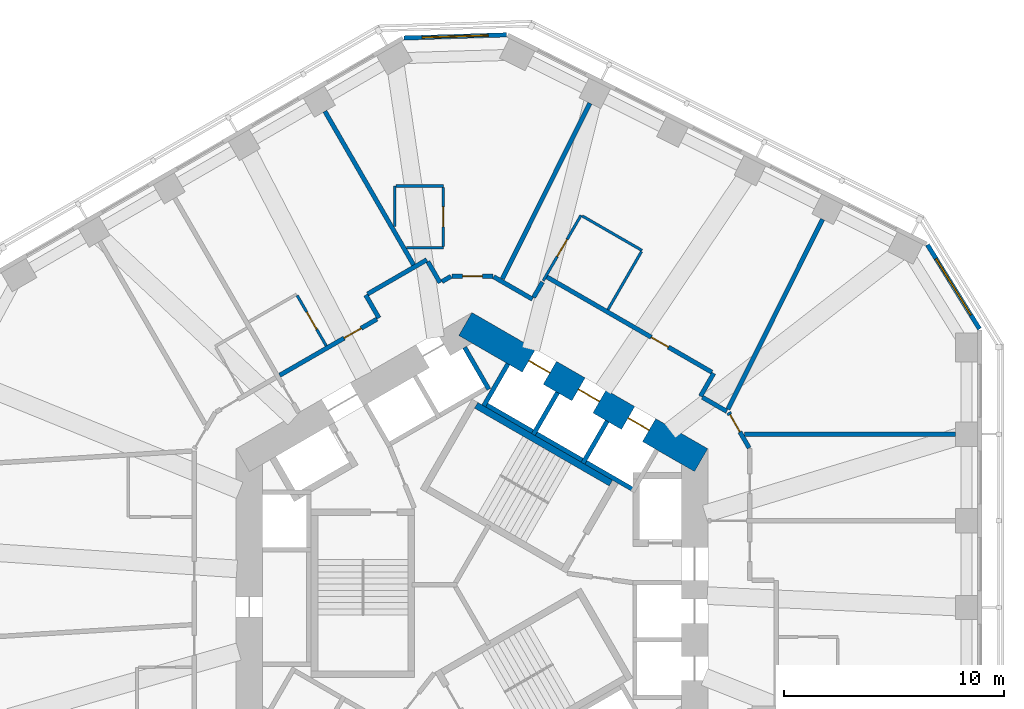
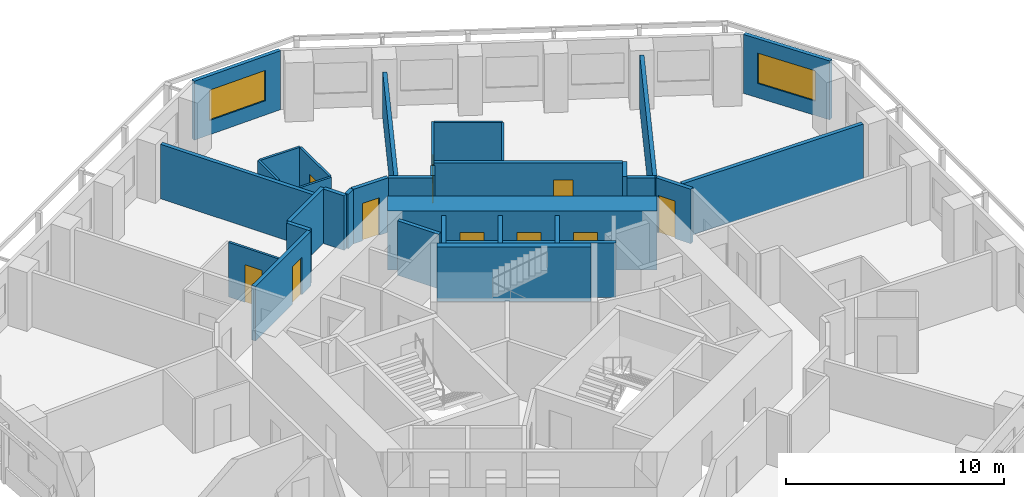
# One storey, part 8 of 12: 33 walls, 10 doors, 2 windows, 12 openings.
"""IFC4 building model written with IfcOpenShell, lengths in metres."""

from ifc_helpers import new_model, si_unit, direction, frame, frame_2d, origin, place, context, subcontext, project, spatial, rectangle, extrude, material, layer, layer_set, type_object, element, fill, save


model = new_model("IFC4")

# Units and contexts
model_context = context("Model", 3, precision=1e-05, world=origin(), true_north=direction((0.0, 1.0)))
body_context = subcontext(model_context, "Body", "Model", "MODEL_VIEW")
ifc_project = project(units=[si_unit("LENGTHUNIT", "METRE"), si_unit("AREAUNIT", "SQUARE_METRE"), si_unit("VOLUMEUNIT", "CUBIC_METRE"), si_unit("PLANEANGLEUNIT", "RADIAN"), si_unit("MASSUNIT", "GRAM", prefix="KILO")], contexts=[model_context])

# Site, building, storey
site_placement = place(None, origin())
site = spatial("IfcSite", under=ifc_project, at=site_placement, CompositionType="ELEMENT")
building_placement = place(site_placement, origin())
building = spatial("IfcBuilding", under=site, at=building_placement, Name="Vanh Sen Convention Tower", CompositionType="ELEMENT")
storey_placement = place(building_placement, frame((0.0, 0.0, 103.39990234375)))
storey = spatial("IfcBuildingStorey", under=building, at=storey_placement, Name="L24", CompositionType="ELEMENT", Elevation=103.39990234375)

# Wall, opening, door
ifc_material_1 = material(Name="Moisture-resistant gypsum board on steel studs", Category="steel")
ifc_layer_1 = layer(ifc_material_1, 0.1201171875)
ifc_layer_set_1 = layer_set([ifc_layer_1], Name="Moisture-resistant gypsum board on steel studs")
wall_type_1 = type_object("IfcWallType", Name="Bathroom partition 120", PredefinedType="PARTITIONING", material=ifc_layer_set_1)
wall_1_placement = place(storey_placement, frame((-7.93359375, 13.132568359375, 0.0), z_axis=(0.0, 0.0, 1.0), x_axis=(0.499938597367, -0.866060851709, 0.0)))
wall_1 = element("IfcWall", 1, at=wall_1_placement, inside=storey, type_object=wall_type_1, Name="Bathroom partition 120", PredefinedType="PARTITIONING", context=body_context, shape_type="SweptSolid", body=[
    extrude(rectangle(XDim=2.639892578125, YDim=0.1201171875, at=frame_2d((1.31982421875, 0.0))), origin(), (0.0, 0.0, 1.0), 3.050048828125),
])
opening_1_placement = place(wall_1_placement, frame((0.8701171875, 0.0, 0.0)))
opening_1 = element("IfcOpeningElement", 2, at=opening_1_placement, cuts=wall_1, Name="Opening D22110", PredefinedType="OPENING", context=body_context, shape_type="SweptSolid", body=[
    extrude(rectangle(XDim=0.89990234375, YDim=2.10009765625, at=frame_2d((0.449951171875, 1.050048828125))), frame((0.0, 0.070068359375, 0.0), z_axis=(0.0, -1.0, 0.0), x_axis=(1.0, 0.0, 0.0)), (0.0, 0.0, 1.0), 0.14013671875),
])
ifc_material_2 = material(Name="Laminate door in steel frame", Category="steel")
door_type_1 = type_object("IfcDoorType", Name="En-suite door 900", OperationType="SINGLE_SWING_LEFT", PredefinedType="DOOR", material=ifc_material_2)
door_1_placement = place(opening_1_placement, origin())
door_1 = element("IfcDoor", 3, at=door_1_placement, inside=storey, type_object=door_type_1, Name="En-suite door D22110", OperationType="SINGLE_SWING_LEFT", OverallHeight=2.10009765625, OverallWidth=0.89990234375, PredefinedType="DOOR", context=body_context, shape_type="SweptSolid", body=[
    extrude(rectangle(XDim=0.89990234375, YDim=2.10009765625, at=frame_2d((0.449951171875, 1.050048828125))), frame((0.0, 0.02490234375, 0.0), z_axis=(0.0, -1.0, 0.0), x_axis=(1.0, 0.0, 0.0)), (0.0, 0.0, 1.0), 0.050048828125),
])
fill(opening_1, door_1)

# Walls
wall_2_placement = place(storey_placement, frame((-3.5, 16.271484375, 0.0), z_axis=(0.0, 0.0, 1.0), x_axis=(0.0, 1.0, 0.0)))
element("IfcWall", 4, at=wall_2_placement, inside=storey, type_object=wall_type_1, Name="Bathroom partition 120", PredefinedType="PARTITIONING", context=body_context, shape_type="SweptSolid", body=[
    extrude(rectangle(XDim=1.8291015625, YDim=0.1201171875, at=frame_2d((0.91455078125, 0.0))), origin(), (0.0, 0.0, 1.0), 3.050048828125),
])
wall_3_placement = place(storey_placement, frame((-3.43994140625, 18.1005859375, 0.0), z_axis=(0.0, 0.0, 1.0), x_axis=(1.0, 0.0, 0.0)))
element("IfcWall", 5, at=wall_3_placement, inside=storey, type_object=wall_type_1, Name="Bathroom partition 120", PredefinedType="PARTITIONING", context=body_context, shape_type="SweptSolid", body=[
    extrude(rectangle(XDim=2.139892578125, YDim=0.1201171875, at=frame_2d((1.06982421875, 0.0))), origin(), (0.0, 0.0, 1.0), 3.050048828125),
])
wall_4_placement = place(storey_placement, frame((-1.300048828125, 15.30078125, 0.0), z_axis=(0.0, 0.0, 1.0), x_axis=(-1.0, 0.0, 0.0)))
element("IfcWall", 6, at=wall_4_placement, inside=storey, type_object=wall_type_1, Name="Bathroom partition 120", PredefinedType="PARTITIONING", context=body_context, shape_type="SweptSolid", body=[
    extrude(rectangle(XDim=1.6611328125, YDim=0.1201171875, at=frame_2d((0.83056640625, 0.0))), origin(), (0.0, 0.0, 1.0), 3.050048828125),
])

# Wall, opening, door
wall_5_placement = place(storey_placement, frame((-1.300048828125, 18.040771484375, 0.0), z_axis=(0.0, 0.0, 1.0), x_axis=(0.0, -1.0, 0.0)))
wall_5 = element("IfcWall", 7, at=wall_5_placement, inside=storey, type_object=wall_type_1, Name="Bathroom partition 120", PredefinedType="PARTITIONING", context=body_context, shape_type="SweptSolid", body=[
    extrude(rectangle(XDim=2.68017578125, YDim=0.1201171875, at=frame_2d((1.340087890625, 0.0))), origin(), (0.0, 0.0, 1.0), 3.050048828125),
])
opening_2_placement = place(wall_5_placement, frame((0.889892578125, 0.0, 0.0)))
opening_2 = element("IfcOpeningElement", 8, at=opening_2_placement, cuts=wall_5, Name="Opening D22108", PredefinedType="OPENING", context=body_context, shape_type="SweptSolid", body=[
    extrude(rectangle(XDim=0.89990234375, YDim=2.10009765625, at=frame_2d((0.449951171875, 1.050048828125))), frame((0.0, 0.070068359375, 0.0), z_axis=(0.0, -1.0, 0.0), x_axis=(1.0, 0.0, 0.0)), (0.0, 0.0, 1.0), 0.14013671875),
])
door_2_placement = place(opening_2_placement, origin())
door_2 = element("IfcDoor", 9, at=door_2_placement, inside=storey, type_object=door_type_1, Name="En-suite door D22108", OperationType="SINGLE_SWING_LEFT", OverallHeight=2.10009765625, OverallWidth=0.89990234375, PredefinedType="DOOR", context=body_context, shape_type="SweptSolid", body=[
    extrude(rectangle(XDim=0.89990234375, YDim=2.10009765625, at=frame_2d((0.449951171875, 1.050048828125))), frame((0.0, 0.02490234375, 0.0), z_axis=(0.0, -1.0, 0.0), x_axis=(1.0, 0.0, 0.0)), (0.0, 0.0, 1.0), 0.050048828125),
])
fill(opening_2, door_2)

wall_6_placement = place(storey_placement, frame((3.232177734375, 13.800048828125, 0.0), z_axis=(0.0, 0.0, 1.0), x_axis=(0.499993265928, 0.866029291668, 0.0)))
wall_6 = element("IfcWall", 10, at=wall_6_placement, inside=storey, type_object=wall_type_1, Name="Bathroom partition 120", PredefinedType="PARTITIONING", context=body_context, shape_type="SweptSolid", body=[
    extrude(rectangle(XDim=3.43359375, YDim=0.1201171875, at=frame_2d((1.716796875, 0.0))), origin(), (0.0, 0.0, 1.0), 3.050048828125),
])
opening_3_placement = place(wall_6_placement, frame((1.266845703125, 0.0, 0.0)))
opening_3 = element("IfcOpeningElement", 11, at=opening_3_placement, cuts=wall_6, Name="Opening D22106", PredefinedType="OPENING", context=body_context, shape_type="SweptSolid", body=[
    extrude(rectangle(XDim=0.89990234375, YDim=2.10009765625, at=frame_2d((0.449951171875, 1.050048828125))), frame((0.0, 0.070068359375, 0.0), z_axis=(0.0, -1.0, 0.0), x_axis=(1.0, 0.0, 0.0)), (0.0, 0.0, 1.0), 0.14013671875),
])
door_3_placement = place(opening_3_placement, origin())
door_3 = element("IfcDoor", 12, at=door_3_placement, inside=storey, type_object=door_type_1, Name="En-suite door D22106", OperationType="SINGLE_SWING_LEFT", OverallHeight=2.10009765625, OverallWidth=0.89990234375, PredefinedType="DOOR", context=body_context, shape_type="SweptSolid", body=[
    extrude(rectangle(XDim=0.89990234375, YDim=2.10009765625, at=frame_2d((0.449951171875, 1.050048828125))), frame((0.0, 0.02490234375, 0.0), z_axis=(0.0, -1.0, 0.0), x_axis=(1.0, 0.0, 0.0)), (0.0, 0.0, 1.0), 0.050048828125),
])
fill(opening_3, door_3)

# Walls
wall_7_placement = place(storey_placement, frame((5.0009765625, 16.743896484375, 0.0), z_axis=(0.0, 0.0, 1.0), x_axis=(0.866009488468, -0.500027565123, 0.0)))
element("IfcWall", 13, at=wall_7_placement, inside=storey, type_object=wall_type_1, Name="Bathroom partition 120", PredefinedType="PARTITIONING", context=body_context, shape_type="SweptSolid", body=[
    extrude(rectangle(XDim=3.139892578125, YDim=0.1201171875, at=frame_2d((1.56982421875, 0.0))), origin(), (0.0, 0.0, 1.0), 3.050048828125),
])
wall_8_placement = place(storey_placement, frame((7.690185546875, 15.121826171875, 0.0), z_axis=(0.0, 0.0, 1.0), x_axis=(-0.499991248344, -0.866030456496, 0.0)))
element("IfcWall", 14, at=wall_8_placement, inside=storey, type_object=wall_type_1, Name="Bathroom partition 120", PredefinedType="PARTITIONING", context=body_context, shape_type="SweptSolid", body=[
    extrude(rectangle(XDim=3.0400390625, YDim=0.1201171875, at=frame_2d((1.52001953125, 0.0))), origin(), (0.0, 0.0, 1.0), 3.050048828125),
])

# Wall, openings, doors
ifc_material_3 = material(Name="Concrete C80/95", Category="concrete")
ifc_layer_2 = layer(ifc_material_3, 1.199951171875)
ifc_layer_set_2 = layer_set([ifc_layer_2], Name="Concrete C80/95")
wall_type_2 = type_object("IfcWallType", Name="Core outer wall 1200 C80/95", PredefinedType="SHEAR", material=ifc_layer_set_2)
wall_9_placement = place(storey_placement, frame((10.39990234375, 5.657958984375, 0.0), z_axis=(0.0, 0.0, 1.0), x_axis=(-0.866021384402, 0.500006961711, 0.0)))
wall_9 = element("IfcWall", 15, at=wall_9_placement, inside=storey, type_object=wall_type_2, Name="Core wall face NE L24", PredefinedType="SHEAR", context=body_context, shape_type="SweptSolid", body=[
    extrude(rectangle(XDim=12.355224609375, YDim=1.199951171875, at=frame_2d((6.177734375, 0.0))), origin(), (0.0, 0.0, 1.0), 3.300048828125),
])
opening_4_placement = place(wall_9_placement, frame((2.727783203125, 0.0, 0.0)))
opening_4 = element("IfcOpeningElement", 16, at=opening_4_placement, cuts=wall_9, Name="Opening LD-LR3", PredefinedType="OPENING", context=body_context, shape_type="SweptSolid", body=[
    extrude(rectangle(XDim=1.10009765625, YDim=2.10009765625, at=frame_2d((0.550048828125, 1.050048828125))), frame((0.0, 0.60986328125, 0.0), z_axis=(0.0, -1.0, 0.0), x_axis=(1.0, 0.0, 0.0)), (0.0, 0.0, 1.0), 1.219970703125),
])
opening_5_placement = place(wall_9_placement, frame((5.32763671875, 0.0, 0.0)))
opening_5 = element("IfcOpeningElement", 17, at=opening_5_placement, cuts=wall_9, Name="Opening LD-LR4", PredefinedType="OPENING", context=body_context, shape_type="SweptSolid", body=[
    extrude(rectangle(XDim=1.10009765625, YDim=2.10009765625, at=frame_2d((0.550048828125, 1.050048828125))), frame((0.0, 0.60986328125, 0.0), z_axis=(0.0, -1.0, 0.0), x_axis=(1.0, 0.0, 0.0)), (0.0, 0.0, 1.0), 1.219970703125),
])
opening_6_placement = place(wall_9_placement, frame((7.927734375, 0.0, 0.0)))
opening_6 = element("IfcOpeningElement", 18, at=opening_6_placement, cuts=wall_9, Name="Opening LD-LR5", PredefinedType="OPENING", context=body_context, shape_type="SweptSolid", body=[
    extrude(rectangle(XDim=1.10009765625, YDim=2.10009765625, at=frame_2d((0.550048828125, 1.050048828125))), frame((0.0, 0.60986328125, 0.0), z_axis=(0.0, -1.0, 0.0), x_axis=(1.0, 0.0, 0.0)), (0.0, 0.0, 1.0), 1.219970703125),
])
ifc_material_4 = material(Name="Stainless steel", Category="steel")
door_type_2 = type_object("IfcDoorType", Name="Lift landing door 1100", OperationType="DOUBLE_DOOR_SLIDING", PredefinedType="DOOR", material=ifc_material_4)
door_4_placement = place(opening_4_placement, origin())
door_4 = element("IfcDoor", 19, at=door_4_placement, inside=storey, type_object=door_type_2, Name="Lift LR3 landing door LD-LR3", OperationType="DOUBLE_DOOR_SLIDING", OverallHeight=2.10009765625, OverallWidth=1.10009765625, PredefinedType="DOOR", context=body_context, shape_type="SweptSolid", body=[
    extrude(rectangle(XDim=1.10009765625, YDim=2.10009765625, at=frame_2d((0.550048828125, 1.050048828125))), frame((0.0, 0.02490234375, 0.0), z_axis=(0.0, -1.0, 0.0), x_axis=(1.0, 0.0, 0.0)), (0.0, 0.0, 1.0), 0.050048828125),
])
fill(opening_4, door_4)
door_5_placement = place(opening_5_placement, origin())
door_5 = element("IfcDoor", 20, at=door_5_placement, inside=storey, type_object=door_type_2, Name="Lift LR4 landing door LD-LR4", OperationType="DOUBLE_DOOR_SLIDING", OverallHeight=2.10009765625, OverallWidth=1.10009765625, PredefinedType="DOOR", context=body_context, shape_type="SweptSolid", body=[
    extrude(rectangle(XDim=1.10009765625, YDim=2.10009765625, at=frame_2d((0.550048828125, 1.050048828125))), frame((0.0, 0.02490234375, 0.0), z_axis=(0.0, -1.0, 0.0), x_axis=(1.0, 0.0, 0.0)), (0.0, 0.0, 1.0), 0.050048828125),
])
fill(opening_5, door_5)
door_6_placement = place(opening_6_placement, origin())
door_6 = element("IfcDoor", 21, at=door_6_placement, inside=storey, type_object=door_type_2, Name="Lift LR5 landing door LD-LR5", OperationType="DOUBLE_DOOR_SLIDING", OverallHeight=2.10009765625, OverallWidth=1.10009765625, PredefinedType="DOOR", context=body_context, shape_type="SweptSolid", body=[
    extrude(rectangle(XDim=1.10009765625, YDim=2.10009765625, at=frame_2d((0.550048828125, 1.050048828125))), frame((0.0, 0.02490234375, 0.0), z_axis=(0.0, -1.0, 0.0), x_axis=(1.0, 0.0, 0.0)), (0.0, 0.0, 1.0), 0.050048828125),
])
fill(opening_6, door_6)

# Wall
ifc_material_5 = material(Name="Gypsum board on steel studs with mineral wool", Category="steel")
ifc_layer_3 = layer(ifc_material_5, 0.199951171875)
ifc_layer_set_3 = layer_set([ifc_layer_3], Name="Gypsum board on steel studs with mineral wool")
wall_type_3 = type_object("IfcWallType", Name="Corridor partition wall 200", PredefinedType="PARTITIONING", material=ifc_layer_set_3)
wall_10_placement = place(storey_placement, frame((-4.822998046875, 13.151611328125, 0.0), z_axis=(0.0, 0.0, 1.0), x_axis=(0.499986357472, -0.866033280158, 0.0)))
element("IfcWall", 22, at=wall_10_placement, inside=storey, type_object=wall_type_3, Name="Corridor partition wall 200", PredefinedType="PARTITIONING", context=body_context, shape_type="SweptSolid", body=[
    extrude(rectangle(XDim=1.201171875, YDim=0.199951171875, at=frame_2d((0.6005859375, 0.0))), origin(), (0.0, 0.0, 1.0), 3.050048828125),
])

# Wall, opening, door
wall_11_placement = place(storey_placement, frame((-4.30908203125, 12.061279296875, 0.0), z_axis=(0.0, 0.0, 1.0), x_axis=(-0.866020679205, -0.500008183122, 0.0)))
wall_11 = element("IfcWall", 23, at=wall_11_placement, inside=storey, type_object=wall_type_3, Name="Corridor partition wall 200", PredefinedType="PARTITIONING", context=body_context, shape_type="SweptSolid", body=[
    extrude(rectangle(XDim=5.103515625, YDim=0.199951171875, at=frame_2d((2.5517578125, 0.0))), origin(), (0.0, 0.0, 1.0), 3.050048828125),
])
opening_7_placement = place(wall_11_placement, frame((0.826904296875, 0.0, 0.0)))
opening_7 = element("IfcOpeningElement", 24, at=opening_7_placement, cuts=wall_11, Name="Opening D22109", PredefinedType="OPENING", context=body_context, shape_type="SweptSolid", body=[
    extrude(rectangle(XDim=0.89990234375, YDim=2.10009765625, at=frame_2d((0.449951171875, 1.050048828125))), frame((0.0, 0.10986328125, 0.0), z_axis=(0.0, -1.0, 0.0), x_axis=(1.0, 0.0, 0.0)), (0.0, 0.0, 1.0), 0.219970703125),
])
ifc_material_6 = material(Name="Timber fire door in steel frame", Category="steel")
door_type_3 = type_object("IfcDoorType", Name="Guest room door 900", OperationType="SINGLE_SWING_LEFT", PredefinedType="DOOR", material=ifc_material_6)
door_7_placement = place(opening_7_placement, origin())
door_7 = element("IfcDoor", 25, at=door_7_placement, inside=storey, type_object=door_type_3, Name="Hotel guest room door D22109", OperationType="SINGLE_SWING_LEFT", OverallHeight=2.10009765625, OverallWidth=0.89990234375, PredefinedType="DOOR", context=body_context, shape_type="SweptSolid", body=[
    extrude(rectangle(XDim=0.89990234375, YDim=2.10009765625, at=frame_2d((0.449951171875, 1.050048828125))), frame((0.0, 0.02490234375, 0.0), z_axis=(0.0, -1.0, 0.0), x_axis=(1.0, 0.0, 0.0)), (0.0, 0.0, 1.0), 0.050048828125),
])
fill(opening_7, door_7)

# Walls
wall_12_placement = place(storey_placement, frame((-2.0498046875, 14.75244140625, 0.0), z_axis=(0.0, 0.0, 1.0), x_axis=(-0.866030936828, -0.499990416364, 0.0)))
element("IfcWall", 26, at=wall_12_placement, inside=storey, type_object=wall_type_3, Name="Corridor partition wall 200", PredefinedType="PARTITIONING", context=body_context, shape_type="SweptSolid", body=[
    extrude(rectangle(XDim=3.10205078125, YDim=0.199951171875, at=frame_2d((1.551025390625, 0.0))), origin(), (0.0, 0.0, 1.0), 3.050048828125),
])
wall_13_placement = place(storey_placement, frame((-1.449462890625, 13.71240234375, 0.0), z_axis=(0.0, 0.0, 1.0), x_axis=(-0.499978356969, 0.866037899034, 0.0)))
element("IfcWall", 27, at=wall_13_placement, inside=storey, type_object=wall_type_3, Name="Corridor partition wall 200", PredefinedType="PARTITIONING", context=body_context, shape_type="SweptSolid", body=[
    extrude(rectangle(XDim=1.10107421875, YDim=0.199951171875, at=frame_2d((0.550537109375, 0.0))), origin(), (0.0, 0.0, 1.0), 3.050048828125),
])
wall_14_placement = place(storey_placement, frame((-0.949951171875, 14.000732421875, 0.0), z_axis=(0.0, 0.0, 1.0), x_axis=(-0.86609177584, -0.499885022602, 0.0)))
element("IfcWall", 28, at=wall_14_placement, inside=storey, type_object=wall_type_3, Name="Corridor partition wall 200", PredefinedType="PARTITIONING", context=body_context, shape_type="SweptSolid", body=[
    extrude(rectangle(XDim=0.4765625, YDim=0.199951171875, at=frame_2d((0.23828125, 0.0))), origin(), (0.0, 0.0, 1.0), 3.050048828125),
])

# Wall, opening, door
wall_15_placement = place(storey_placement, frame((0.949951171875, 14.000732421875, 0.0), z_axis=(0.0, 0.0, 1.0), x_axis=(-1.0, 0.0, 0.0)))
wall_15 = element("IfcWall", 29, at=wall_15_placement, inside=storey, type_object=wall_type_3, Name="Corridor partition wall 200", PredefinedType="PARTITIONING", context=body_context, shape_type="SweptSolid", body=[
    extrude(rectangle(XDim=1.85986328125, YDim=0.199951171875, at=frame_2d((0.929931640625, 0.0))), origin(), (0.0, 0.0, 1.0), 3.050048828125),
])
opening_8_placement = place(wall_15_placement, frame((0.47998046875, 0.0, 0.0)))
opening_8 = element("IfcOpeningElement", 30, at=opening_8_placement, cuts=wall_15, Name="Opening D22107", PredefinedType="OPENING", context=body_context, shape_type="SweptSolid", body=[
    extrude(rectangle(XDim=0.89990234375, YDim=2.10009765625, at=frame_2d((0.449951171875, 1.050048828125))), frame((0.0, 0.10986328125, 0.0), z_axis=(0.0, -1.0, 0.0), x_axis=(1.0, 0.0, 0.0)), (0.0, 0.0, 1.0), 0.219970703125),
])
door_8_placement = place(opening_8_placement, origin())
door_8 = element("IfcDoor", 31, at=door_8_placement, inside=storey, type_object=door_type_3, Name="Hotel guest room door D22107", OperationType="SINGLE_SWING_LEFT", OverallHeight=2.10009765625, OverallWidth=0.89990234375, PredefinedType="DOOR", context=body_context, shape_type="SweptSolid", body=[
    extrude(rectangle(XDim=0.89990234375, YDim=2.10009765625, at=frame_2d((0.449951171875, 1.050048828125))), frame((0.0, 0.02490234375, 0.0), z_axis=(0.0, -1.0, 0.0), x_axis=(1.0, 0.0, 0.0)), (0.0, 0.0, 1.0), 0.050048828125),
])
fill(opening_8, door_8)

# Walls
wall_16_placement = place(storey_placement, frame((2.748291015625, 12.96240234375, 0.0), z_axis=(0.0, 0.0, 1.0), x_axis=(-0.866013897511, 0.50001992892, 0.0)))
element("IfcWall", 32, at=wall_16_placement, inside=storey, type_object=wall_type_3, Name="Corridor partition wall 200", PredefinedType="PARTITIONING", context=body_context, shape_type="SweptSolid", body=[
    extrude(rectangle(XDim=2.03662109375, YDim=0.199951171875, at=frame_2d((1.018310546875, 0.0))), origin(), (0.0, 0.0, 1.0), 3.050048828125),
])
wall_17_placement = place(storey_placement, frame((3.198974609375, 13.74267578125, 0.0), z_axis=(0.0, 0.0, 1.0), x_axis=(-0.500170954823, -0.865926680471, 0.0)))
element("IfcWall", 33, at=wall_17_placement, inside=storey, type_object=wall_type_3, Name="Corridor partition wall 200", PredefinedType="PARTITIONING", context=body_context, shape_type="SweptSolid", body=[
    extrude(rectangle(XDim=0.801025390625, YDim=0.199951171875, at=frame_2d((0.400390625, 0.0))), origin(), (0.0, 0.0, 1.0), 3.050048828125),
])
wall_18_placement = place(storey_placement, frame((10.37109375, 8.561279296875, 0.0), z_axis=(0.0, 0.0, 1.0), x_axis=(0.499986357472, 0.866033280158, 0.0)))
element("IfcWall", 34, at=wall_18_placement, inside=storey, type_object=wall_type_3, Name="Corridor partition wall 200", PredefinedType="PARTITIONING", context=body_context, shape_type="SweptSolid", body=[
    extrude(rectangle(XDim=1.201171875, YDim=0.199951171875, at=frame_2d((0.6005859375, 0.0))), origin(), (0.0, 0.0, 1.0), 3.050048828125),
])

# Wall, opening, door
wall_19_placement = place(storey_placement, frame((10.885009765625, 9.651611328125, 0.0), z_axis=(0.0, 0.0, 1.0), x_axis=(-0.866033630405, 0.499985750804, 0.0)))
wall_19 = element("IfcWall", 35, at=wall_19_placement, inside=storey, type_object=wall_type_3, Name="Corridor partition wall 200", PredefinedType="PARTITIONING", context=body_context, shape_type="SweptSolid", body=[
    extrude(rectangle(XDim=8.641845703125, YDim=0.199951171875, at=frame_2d((4.32080078125, 0.0))), origin(), (0.0, 0.0, 1.0), 3.050048828125),
])
opening_9_placement = place(wall_19_placement, frame((2.27587890625, 0.0, 0.0)))
opening_9 = element("IfcOpeningElement", 36, at=opening_9_placement, cuts=wall_19, Name="Opening D22105", PredefinedType="OPENING", context=body_context, shape_type="SweptSolid", body=[
    extrude(rectangle(XDim=0.89990234375, YDim=2.10009765625, at=frame_2d((0.449951171875, 1.050048828125))), frame((0.0, 0.10986328125, 0.0), z_axis=(0.0, -1.0, 0.0), x_axis=(1.0, 0.0, 0.0)), (0.0, 0.0, 1.0), 0.219970703125),
])
door_9_placement = place(opening_9_placement, origin())
door_9 = element("IfcDoor", 37, at=door_9_placement, inside=storey, type_object=door_type_3, Name="Hotel guest room door D22105", OperationType="SINGLE_SWING_LEFT", OverallHeight=2.10009765625, OverallWidth=0.89990234375, PredefinedType="DOOR", context=body_context, shape_type="SweptSolid", body=[
    extrude(rectangle(XDim=0.89990234375, YDim=2.10009765625, at=frame_2d((0.449951171875, 1.050048828125))), frame((0.0, 0.02490234375, 0.0), z_axis=(0.0, -1.0, 0.0), x_axis=(1.0, 0.0, 0.0)), (0.0, 0.0, 1.0), 0.050048828125),
])
fill(opening_9, door_9)

# Wall
wall_20_placement = place(storey_placement, frame((11.56640625, 7.871337890625, 0.0), z_axis=(0.0, 0.0, 1.0), x_axis=(-0.866004557827, 0.500036104519, 0.0)))
element("IfcWall", 38, at=wall_20_placement, inside=storey, type_object=wall_type_3, Name="Corridor partition wall 200", PredefinedType="PARTITIONING", context=body_context, shape_type="SweptSolid", body=[
    extrude(rectangle(XDim=1.2802734375, YDim=0.199951171875, at=frame_2d((0.64013671875, 0.0))), origin(), (0.0, 0.0, 1.0), 3.050048828125),
])

# Wall, opening, door
wall_21_placement = place(storey_placement, frame((12.580078125, 6.212158203125, 0.0), z_axis=(0.0, 0.0, 1.0), x_axis=(-0.500063286585, 0.865988862174, 0.0)))
wall_21 = element("IfcWall", 39, at=wall_21_placement, inside=storey, type_object=wall_type_3, Name="Corridor partition wall 200", PredefinedType="PARTITIONING", context=body_context, shape_type="SweptSolid", body=[
    extrude(rectangle(XDim=1.860107421875, YDim=0.199951171875, at=frame_2d((0.93017578125, 0.0))), origin(), (0.0, 0.0, 1.0), 3.050048828125),
])
opening_10_placement = place(wall_21_placement, frame((0.841796875, 0.0, 0.0)))
opening_10 = element("IfcOpeningElement", 40, at=opening_10_placement, cuts=wall_21, Name="Opening D22104", PredefinedType="OPENING", context=body_context, shape_type="SweptSolid", body=[
    extrude(rectangle(XDim=0.89990234375, YDim=2.10009765625, at=frame_2d((0.449951171875, 1.050048828125))), frame((0.0, 0.10986328125, 0.0), z_axis=(0.0, -1.0, 0.0), x_axis=(1.0, 0.0, 0.0)), (0.0, 0.0, 1.0), 0.219970703125),
])
door_type_4 = type_object("IfcDoorType", Name="Floor room door 900", OperationType="SINGLE_SWING_LEFT", PredefinedType="DOOR", material=ifc_material_6)
door_10_placement = place(opening_10_placement, origin())
door_10 = element("IfcDoor", 41, at=door_10_placement, inside=storey, type_object=door_type_4, Name="Meeting and amenity room door D22104", OperationType="SINGLE_SWING_LEFT", OverallHeight=2.10009765625, OverallWidth=0.89990234375, PredefinedType="DOOR", context=body_context, shape_type="SweptSolid", body=[
    extrude(rectangle(XDim=0.89990234375, YDim=2.10009765625, at=frame_2d((0.449951171875, 1.050048828125))), frame((0.0, 0.02490234375, 0.0), z_axis=(0.0, -1.0, 0.0), x_axis=(1.0, 0.0, 0.0)), (0.0, 0.0, 1.0), 0.050048828125),
])
fill(opening_10, door_10)

# Wall, opening, window
ifc_material_7 = material(Name="Insulated lightweight infill wall")
ifc_layer_4 = layer(ifc_material_7, 0.199951171875)
ifc_layer_set_4 = layer_set([ifc_layer_4], Name="Insulated lightweight infill wall")
wall_type_4 = type_object("IfcWallType", Name="External wall 200", PredefinedType="STANDARD", material=ifc_layer_set_4)
wall_22_placement = place(storey_placement, frame((23.034912109375, 11.612060546875, 0.0), z_axis=(0.0, 0.0, 1.0), x_axis=(-0.526160091227, 0.850385535155, 0.0)))
wall_22 = element("IfcWall", 42, at=wall_22_placement, inside=storey, type_object=wall_type_4, Name="External wall CH1 L24", PredefinedType="STANDARD", context=body_context, shape_type="SweptSolid", body=[
    extrude(rectangle(XDim=4.493896484375, YDim=0.199951171875, at=frame_2d((2.2470703125, 0.0))), origin(), (0.0, 0.0, 1.0), 3.300048828125),
])
opening_11_placement = place(wall_22_placement, frame((0.746826171875, 0.0, 0.800048828125)))
opening_11 = element("IfcOpeningElement", 43, at=opening_11_placement, cuts=wall_22, Name="Opening WH2-CH11", PredefinedType="OPENING", context=body_context, shape_type="SweptSolid", body=[
    extrude(rectangle(XDim=3.0, YDim=1.699951171875, at=frame_2d((1.5, 0.85009765625))), frame((0.0, 0.10986328125, 0.0), z_axis=(0.0, -1.0, 0.0), x_axis=(1.0, 0.0, 0.0)), (0.0, 0.0, 1.0), 0.219970703125),
])
ifc_material_8 = material(Name="Aluminium frame with clear low-emissivity glass", Category="aluminium")
window_type = type_object("IfcWindowType", Name="Hotel window 3000 x 1700", PartitioningType="SINGLE_PANEL", PredefinedType="WINDOW", material=ifc_material_8)
window_1_placement = place(opening_11_placement, origin())
window_1 = element("IfcWindow", 44, at=window_1_placement, inside=storey, type_object=window_type, Name="Window WH2-CH11", OverallHeight=1.699951171875, OverallWidth=3.0, PartitioningType="SINGLE_PANEL", PredefinedType="WINDOW", context=body_context, shape_type="SweptSolid", body=[
    extrude(rectangle(XDim=3.0, YDim=1.699951171875, at=frame_2d((1.5, 0.85009765625))), frame((0.0, 0.030029296875, 0.0), z_axis=(0.0, -1.0, 0.0), x_axis=(1.0, 0.0, 0.0)), (0.0, 0.0, 1.0), 0.06005859375),
])
fill(opening_11, window_1)

wall_23_placement = place(storey_placement, frame((1.568359375, 24.9609375, 0.0), z_axis=(0.0, 0.0, 1.0), x_axis=(-0.999533359013, -0.030546099927, 0.0)))
wall_23 = element("IfcWall", 45, at=wall_23_placement, inside=storey, type_object=wall_type_4, Name="External wall CH2 L24", PredefinedType="STANDARD", context=body_context, shape_type="SweptSolid", body=[
    extrude(rectangle(XDim=4.65966796875, YDim=0.199951171875, at=frame_2d((2.329833984375, 0.0))), origin(), (0.0, 0.0, 1.0), 3.300048828125),
])
opening_12_placement = place(wall_23_placement, frame((0.829833984375, 0.0, 0.800048828125)))
opening_12 = element("IfcOpeningElement", 46, at=opening_12_placement, cuts=wall_23, Name="Opening WH2-CH21", PredefinedType="OPENING", context=body_context, shape_type="SweptSolid", body=[
    extrude(rectangle(XDim=3.0, YDim=1.699951171875, at=frame_2d((1.5, 0.85009765625))), frame((0.0, 0.10986328125, 0.0), z_axis=(0.0, -1.0, 0.0), x_axis=(1.0, 0.0, 0.0)), (0.0, 0.0, 1.0), 0.219970703125),
])
window_2_placement = place(opening_12_placement, origin())
window_2 = element("IfcWindow", 47, at=window_2_placement, inside=storey, type_object=window_type, Name="Window WH2-CH21", OverallHeight=1.699951171875, OverallWidth=3.0, PartitioningType="SINGLE_PANEL", PredefinedType="WINDOW", context=body_context, shape_type="SweptSolid", body=[
    extrude(rectangle(XDim=3.0, YDim=1.699951171875, at=frame_2d((1.5, 0.85009765625))), frame((0.0, 0.030029296875, 0.0), z_axis=(0.0, -1.0, 0.0), x_axis=(1.0, 0.0, 0.0)), (0.0, 0.0, 1.0), 0.06005859375),
])
fill(opening_12, window_2)

# Walls
ifc_layer_5 = layer(ifc_material_5, 0.199951171875)
ifc_layer_set_5 = layer_set([ifc_layer_5], Name="Gypsum board on steel studs with mineral wool")
wall_type_5 = type_object("IfcWallType", Name="Hotel party wall 200", PredefinedType="PARTITIONING", material=ifc_layer_set_5)
wall_24_placement = place(storey_placement, frame((-6.675537109375, 21.49169921875, 0.0), z_axis=(0.0, 0.0, 1.0), x_axis=(0.500011263043, -0.866018900966, 0.0)))
element("IfcWall", 48, at=wall_24_placement, inside=storey, type_object=wall_type_5, Name="Hotel party wall 200", PredefinedType="PARTITIONING", context=body_context, shape_type="SweptSolid", body=[
    extrude(rectangle(XDim=8.049072265625, YDim=0.199951171875, at=frame_2d((4.0244140625, 0.0))), origin(), (0.0, 0.0, 1.0), 3.050048828125),
])
wall_25_placement = place(storey_placement, frame((5.35107421875, 21.859130859375, 0.0), z_axis=(0.0, 0.0, 1.0), x_axis=(-0.446205309328, -0.894930624086, 0.0)))
element("IfcWall", 49, at=wall_25_placement, inside=storey, type_object=wall_type_5, Name="Hotel party wall 200", PredefinedType="PARTITIONING", context=body_context, shape_type="SweptSolid", body=[
    extrude(rectangle(XDim=8.9130859375, YDim=0.199951171875, at=frame_2d((4.45654296875, 0.0))), origin(), (0.0, 0.0, 1.0), 2.60009765625),
])
wall_26_placement = place(storey_placement, frame((15.91455078125, 16.59228515625, 0.0), z_axis=(0.0, 0.0, 1.0), x_axis=(-0.446199736347, -0.894933402709, 0.0)))
element("IfcWall", 50, at=wall_26_placement, inside=storey, type_object=wall_type_5, Name="Hotel party wall 200", PredefinedType="PARTITIONING", context=body_context, shape_type="SweptSolid", body=[
    extrude(rectangle(XDim=9.634765625, YDim=0.199951171875, at=frame_2d((4.8173828125, 0.0))), origin(), (0.0, 0.0, 1.0), 3.050048828125),
])
wall_27_placement = place(storey_placement, frame((21.949951171875, 6.839111328125, 0.0), z_axis=(0.0, 0.0, 1.0), x_axis=(-1.0, 0.0, 0.0)))
element("IfcWall", 51, at=wall_27_placement, inside=storey, type_object=wall_type_5, Name="Hotel party wall 200", PredefinedType="PARTITIONING", context=body_context, shape_type="SweptSolid", body=[
    extrude(rectangle(XDim=9.57177734375, YDim=0.199951171875, at=frame_2d((4.785888671875, 0.0))), origin(), (0.0, 0.0, 1.0), 3.050048828125),
])
ifc_material_9 = material(Name="Concrete C40/50", Category="concrete")
ifc_layer_6 = layer(ifc_material_9, 0.199951171875)
ifc_layer_set_6 = layer_set([ifc_layer_6], Name="Concrete C40/50")
wall_type_6 = type_object("IfcWallType", Name="Lift shaft wall 200", PredefinedType="PARTITIONING", material=ifc_layer_set_6)
wall_28_placement = place(storey_placement, frame((7.423828125, 4.258544921875, 0.0), z_axis=(0.0, 0.0, 1.0), x_axis=(-0.866026010844, 0.49999894854, 0.0)))
element("IfcWall", 52, at=wall_28_placement, inside=storey, type_object=wall_type_6, Name="Lift shaft wall L24", PredefinedType="PARTITIONING", context=body_context, shape_type="SweptSolid", body=[
    extrude(rectangle(XDim=8.0, YDim=0.199951171875, at=frame_2d((4.0, 0.0))), origin(), (0.0, 0.0, 1.0), 3.050048828125),
])
for number, where, z_axis, x_axis, name in (
    (53, (5.03564453125, 5.52197265625, 0.0), (0.0, 0.0, 1.0), (0.499946605688, 0.86605622881, 0.0), "Lift shaft wall L24"),
    (54, (2.783935546875, 6.822021484375, 0.0), (0.0, 0.0, 1.0), (0.50002983664, 0.866008176907, 0.0), "Lift shaft wall L24"),
    (55, (0.5322265625, 8.1220703125, 0.0), (0.0, 0.0, 1.0), (0.500077893725, 0.86598042715, 0.0), "Lift shaft wall L24"),
):
    element("IfcWall", number, at=place(storey_placement, frame(where, z_axis=z_axis, x_axis=x_axis)), inside=storey, type_object=wall_type_6, Name=name, PredefinedType="PARTITIONING", context=body_context, shape_type="SweptSolid", body=[
        extrude(rectangle(XDim=2.199951171875, YDim=0.199951171875, at=frame_2d((1.10009765625, 0.0))), origin(), (0.0, 0.0, 1.0), 3.050048828125),
    ])
wall_29_placement = place(storey_placement, frame((0.7666015625, 8.8720703125, 0.0), z_axis=(0.0, 0.0, 1.0), x_axis=(-0.499994660107, 0.866028486751, 0.0)))
element("IfcWall", 56, at=wall_29_placement, inside=storey, type_object=wall_type_6, Name="Lift shaft wall L24", PredefinedType="PARTITIONING", context=body_context, shape_type="SweptSolid", body=[
    extrude(rectangle(XDim=2.19970703125, YDim=0.199951171875, at=frame_2d((1.099853515625, 0.0))), origin(), (0.0, 0.0, 1.0), 3.050048828125),
])
ifc_material_10 = material(Name="Concrete C60/75", Category="concrete")
ifc_layer_7 = layer(ifc_material_10, 0.300048828125)
ifc_layer_set_7 = layer_set([ifc_layer_7], Name="Concrete C60/75")
wall_type_7 = type_object("IfcWallType", Name="Stair wall 300", PredefinedType="SHEAR", material=ifc_layer_set_7)
wall_30_placement = place(storey_placement, frame((6.302978515625, 4.6171875, 0.0), z_axis=(0.0, 0.0, 1.0), x_axis=(-0.866027801685, 0.499995846692, 0.0)))
element("IfcWall", 57, at=wall_30_placement, inside=storey, type_object=wall_type_7, Name="Stair wall L24", PredefinedType="SHEAR", context=body_context, shape_type="SweptSolid", body=[
    extrude(rectangle(XDim=7.06005859375, YDim=0.300048828125, at=frame_2d((3.530029296875, 0.0))), origin(), (0.0, 0.0, 1.0), 3.050048828125),
])

save(model, "model.ifc")
